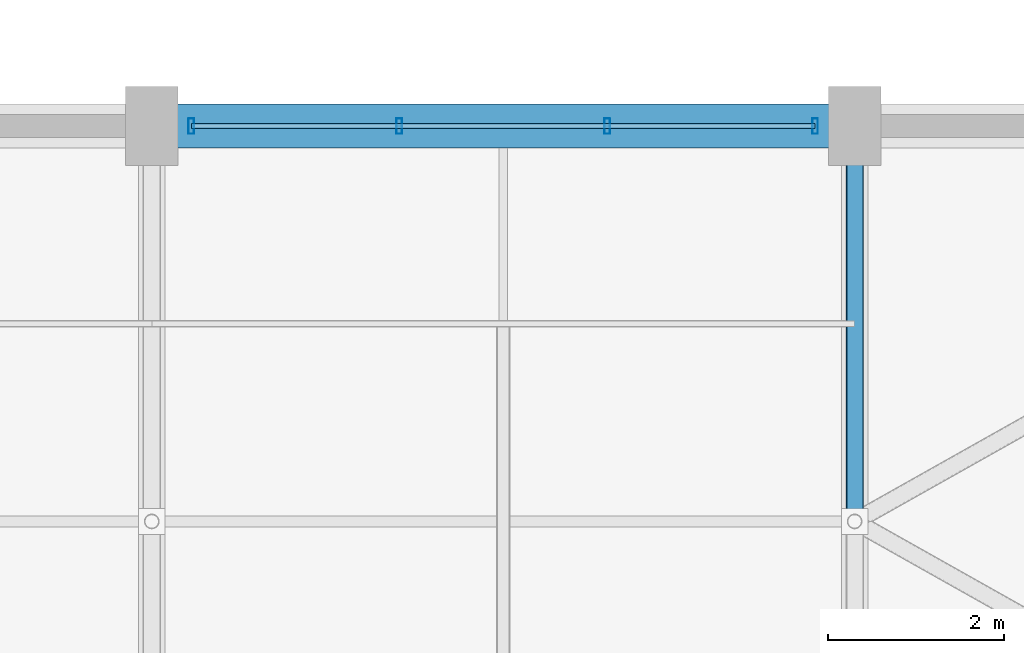
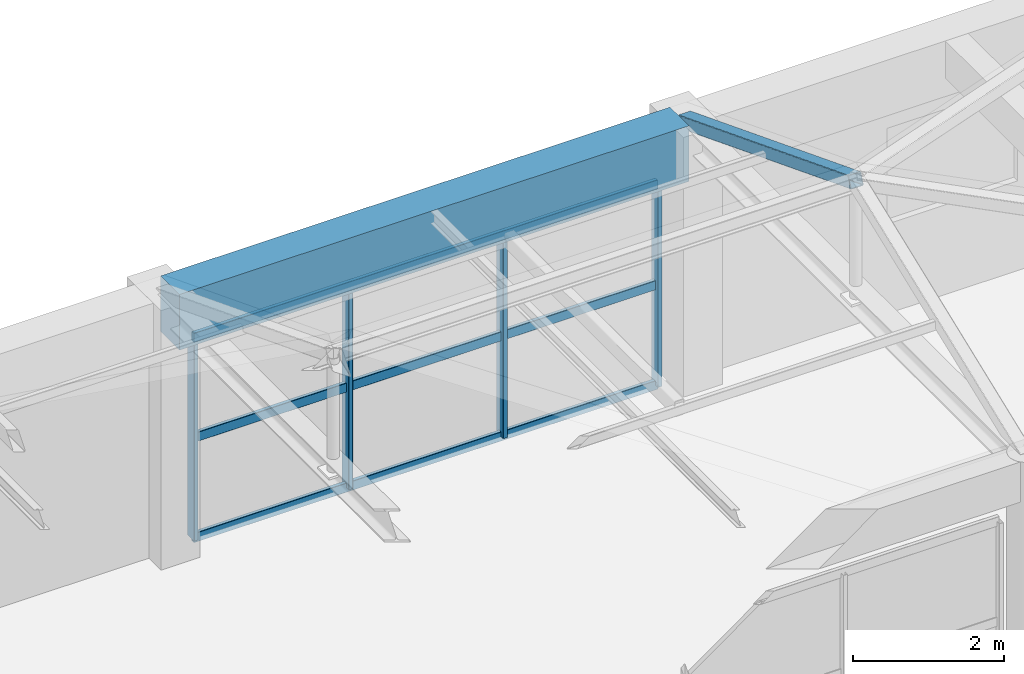
# One storey, part 46 of 65: 8 members, 1 beam, 1 element without a shape of its own.
"""IFC4 building model written with IfcOpenShell, lengths in metres."""

from ifc_helpers import new_model, si_unit, direction, frame, origin, origin_2d, place, context, subcontext, project, spatial, rectangle, hollow_rectangle, extrude, material, material_profile, profile_set, type_object, element, aggregate, save


model = new_model("IFC4")

# Units and contexts
model_context = context("Model", 3, precision=1e-05, world=origin(), true_north=direction((0.0, 1.0)))
body_context = subcontext(model_context, "Body", "Model", "MODEL_VIEW")
ifc_project = project(units=[si_unit("LENGTHUNIT", "METRE"), si_unit("AREAUNIT", "SQUARE_METRE"), si_unit("VOLUMEUNIT", "CUBIC_METRE"), si_unit("PLANEANGLEUNIT", "RADIAN"), si_unit("MASSUNIT", "GRAM", prefix="KILO")], contexts=[model_context])

# Site, building, storey
site_placement = place(None, origin())
site = spatial("IfcSite", under=ifc_project, at=site_placement, CompositionType="ELEMENT")
building_placement = place(site_placement, origin())
building = spatial("IfcBuilding", under=site, at=building_placement, Name="Varnabhumi Central Station", CompositionType="ELEMENT")
storey_placement = place(building_placement, frame((0.0, 0.0, 24.60009765625)))
storey = spatial("IfcBuildingStorey", under=building, at=storey_placement, Name="L05", CompositionType="ELEMENT", Elevation=24.60009765625)

# Beam
ifc_material_1 = material(Name="Concrete M40", Category="concrete")
ifc_material_profile_1 = material_profile(ifc_material_1, rectangle(XDim=0.5, YDim=0.89990234375, at=origin_2d()), Name="Concrete M40", Category="concrete")
ifc_profile_set_1 = profile_set([ifc_material_profile_1], Name="Concrete M40")
beam_type = type_object("IfcBeamType", Name="BM-RC-500x900", PredefinedType="BEAM", material=ifc_profile_set_1)
beam_placement = place(storey_placement, frame((128.10009765625, 36.0, 3.75), z_axis=(1.0, 0.0, 0.0), x_axis=(0.0, 1.0, 0.0)))
element("IfcBeam", 1, at=beam_placement, inside=storey, type_object=beam_type, Name="Beam L05-E:17-18", PredefinedType="BEAM", context=body_context, shape_type="SweptSolid", body=[
    extrude(rectangle(XDim=0.5, YDim=0.89990234375, at=origin_2d()), origin(), (0.0, 0.0, 1.0), 7.7998046875),
])

# Curtain wall, members
ifc_material_2 = material(Name="Anodised aluminium 6063-T6", Category="aluminium")
curtain_wall_type = type_object("IfcCurtainWallType", Name="CW-SPINE-SCREEN-L0", PredefinedType="NOTDEFINED", material=ifc_material_2)
curtain_wall_placement = place(storey_placement, origin())
curtain_wall = element("IfcCurtainWall", 2, at=curtain_wall_placement, inside=storey, type_object=curtain_wall_type, Name="Curtain Wall CW-SS512", PredefinedType="NOTDEFINED")
ifc_material_profile_2 = material_profile(ifc_material_2, hollow_rectangle(XDim=0.06494140625, YDim=0.179931640625, WallThickness=0.00390625, InnerFilletRadius=0.001953125, OuterFilletRadius=0.006103515625, at=origin_2d()), Name="Anodised aluminium 6063-T6", Category="aluminium")
ifc_profile_set_2 = profile_set([ifc_material_profile_2], Name="Anodised aluminium 6063-T6")
member_type_1 = type_object("IfcMemberType", Name="CW-MUL-180", PredefinedType="MULLION", material=ifc_profile_set_2)
member_1_placement = place(storey_placement, frame((128.449951171875, 36.0, 0.0), z_axis=(0.0, 0.0, 1.0), x_axis=(1.0, 0.0, 0.0)))
member_1 = element("IfcMember", 3, at=member_1_placement, type_object=member_type_1, Name="Curtain Wall Mullion CW-SS512-M1", PredefinedType="MULLION", context=body_context, shape_type="SweptSolid", body=[
    extrude(hollow_rectangle(XDim=0.06494140625, YDim=0.179931640625, WallThickness=0.00390625, InnerFilletRadius=0.001953125, OuterFilletRadius=0.006103515625, at=origin_2d()), origin(), (0.0, 0.0, 1.0), 3.239990234375),
])
member_2_placement = place(storey_placement, frame((130.816650390625, 36.0, 0.0), z_axis=(0.0, 0.0, 1.0), x_axis=(1.0, 0.0, 0.0)))
member_2 = element("IfcMember", 4, at=member_2_placement, type_object=member_type_1, Name="Curtain Wall Mullion CW-SS512-M2", PredefinedType="MULLION", context=body_context, shape_type="SweptSolid", body=[
    extrude(hollow_rectangle(XDim=0.06494140625, YDim=0.179931640625, WallThickness=0.00390625, InnerFilletRadius=0.001953125, OuterFilletRadius=0.006103515625, at=origin_2d()), origin(), (0.0, 0.0, 1.0), 3.239990234375),
])
member_3_placement = place(storey_placement, frame((133.183349609375, 36.0, 0.0), z_axis=(0.0, 0.0, 1.0), x_axis=(1.0, 0.0, 0.0)))
member_3 = element("IfcMember", 5, at=member_3_placement, type_object=member_type_1, Name="Curtain Wall Mullion CW-SS512-M3", PredefinedType="MULLION", context=body_context, shape_type="SweptSolid", body=[
    extrude(hollow_rectangle(XDim=0.06494140625, YDim=0.179931640625, WallThickness=0.00390625, InnerFilletRadius=0.001953125, OuterFilletRadius=0.006103515625, at=origin_2d()), origin(), (0.0, 0.0, 1.0), 3.239990234375),
])
member_4_placement = place(storey_placement, frame((135.550048828125, 36.0, 0.0), z_axis=(0.0, 0.0, 1.0), x_axis=(1.0, 0.0, 0.0)))
member_4 = element("IfcMember", 6, at=member_4_placement, type_object=member_type_1, Name="Curtain Wall Mullion CW-SS512-M4", PredefinedType="MULLION", context=body_context, shape_type="SweptSolid", body=[
    extrude(hollow_rectangle(XDim=0.06494140625, YDim=0.179931640625, WallThickness=0.00390625, InnerFilletRadius=0.001953125, OuterFilletRadius=0.006103515625, at=origin_2d()), origin(), (0.0, 0.0, 1.0), 3.239990234375),
])
ifc_material_profile_3 = material_profile(ifc_material_2, hollow_rectangle(XDim=0.06005859375, YDim=0.14990234375, WallThickness=0.00390625, InnerFilletRadius=0.001953125, OuterFilletRadius=0.006103515625, at=origin_2d()), Name="Anodised aluminium 6063-T6", Category="aluminium")
ifc_profile_set_3 = profile_set([ifc_material_profile_3], Name="Anodised aluminium 6063-T6")
member_type_2 = type_object("IfcMemberType", Name="CW-TR-150", PredefinedType="USERDEFINED", material=ifc_profile_set_3)
member_5_placement = place(storey_placement, frame((128.449951171875, 36.0, 0.0), z_axis=(1.0, 0.0, 0.0), x_axis=(0.0, 1.0, 0.0)))
member_5 = element("IfcMember", 7, at=member_5_placement, type_object=member_type_2, Name="Curtain Wall Transom CW-SS512-T1", ObjectType="TRANSOM", PredefinedType="USERDEFINED", context=body_context, shape_type="SweptSolid", body=[
    extrude(hollow_rectangle(XDim=0.06005859375, YDim=0.14990234375, WallThickness=0.00390625, InnerFilletRadius=0.001953125, OuterFilletRadius=0.006103515625, at=origin_2d()), origin(), (0.0, 0.0, 1.0), 7.10009765625),
])
member_6_placement = place(storey_placement, frame((128.449951171875, 36.0, 1.619873046875), z_axis=(1.0, 0.0, 0.0), x_axis=(0.0, 1.0, 0.0)))
member_6 = element("IfcMember", 8, at=member_6_placement, type_object=member_type_2, Name="Curtain Wall Transom CW-SS512-T2", ObjectType="TRANSOM", PredefinedType="USERDEFINED", context=body_context, shape_type="SweptSolid", body=[
    extrude(hollow_rectangle(XDim=0.06005859375, YDim=0.14990234375, WallThickness=0.00390625, InnerFilletRadius=0.001953125, OuterFilletRadius=0.006103515625, at=origin_2d()), origin(), (0.0, 0.0, 1.0), 7.10009765625),
])
member_7_placement = place(storey_placement, frame((128.449951171875, 36.0, 3.239990234375), z_axis=(1.0, 0.0, 0.0), x_axis=(0.0, 1.0, 0.0)))
member_7 = element("IfcMember", 9, at=member_7_placement, type_object=member_type_2, Name="Curtain Wall Transom CW-SS512-T3", ObjectType="TRANSOM", PredefinedType="USERDEFINED", context=body_context, shape_type="SweptSolid", body=[
    extrude(hollow_rectangle(XDim=0.06005859375, YDim=0.14990234375, WallThickness=0.00390625, InnerFilletRadius=0.001953125, OuterFilletRadius=0.006103515625, at=origin_2d()), origin(), (0.0, 0.0, 1.0), 7.10009765625),
])
aggregate(curtain_wall, [member_1, member_2, member_3, member_4, member_5, member_6, member_7])

# Member
ifc_material_3 = material(Name="Structural steel E350", Category="steel")
ifc_material_profile_4 = material_profile(ifc_material_3, hollow_rectangle(XDim=0.199951171875, YDim=0.199951171875, WallThickness=0.010009765625, InnerFilletRadius=0.010009765625, OuterFilletRadius=0.02001953125, at=origin_2d()), Name="Structural steel E350", Category="steel")
ifc_profile_set_4 = profile_set([ifc_material_profile_4], Name="Structural steel E350")
member_type_3 = type_object("IfcMemberType", Name="MBR-RAFT-SHS200", PredefinedType="RAFTER", material=ifc_profile_set_4)
member_8_placement = place(storey_placement, frame((136.0, 36.0, 4.10986328125), z_axis=(0.0, -0.932004671541, 0.362446261155), x_axis=(1.0, 0.0, 0.0)))
element("IfcMember", 10, at=member_8_placement, inside=storey, type_object=member_type_3, Name="Mission Roof North Rafter SW6CN-4", PredefinedType="RAFTER", context=body_context, shape_type="SweptSolid", body=[
    extrude(hollow_rectangle(XDim=0.199951171875, YDim=0.199951171875, WallThickness=0.010009765625, InnerFilletRadius=0.010009765625, OuterFilletRadius=0.02001953125, at=origin_2d()), origin(), (0.0, 0.0, 1.0), 4.828369140625),
])

save(model, "model.ifc")
